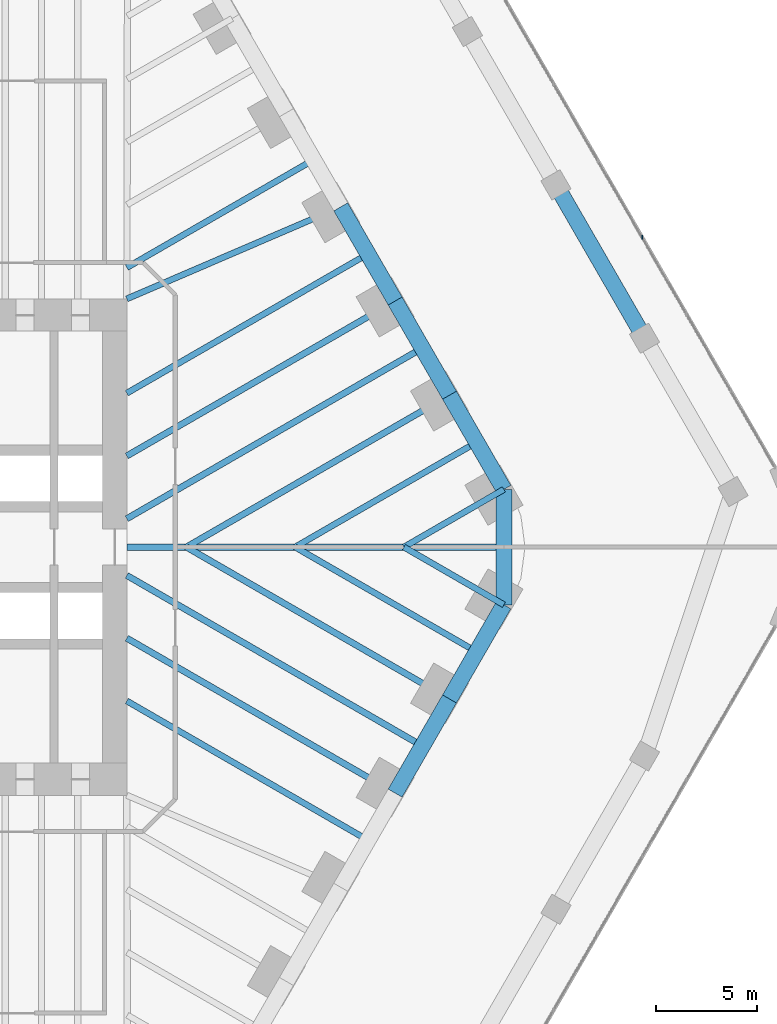
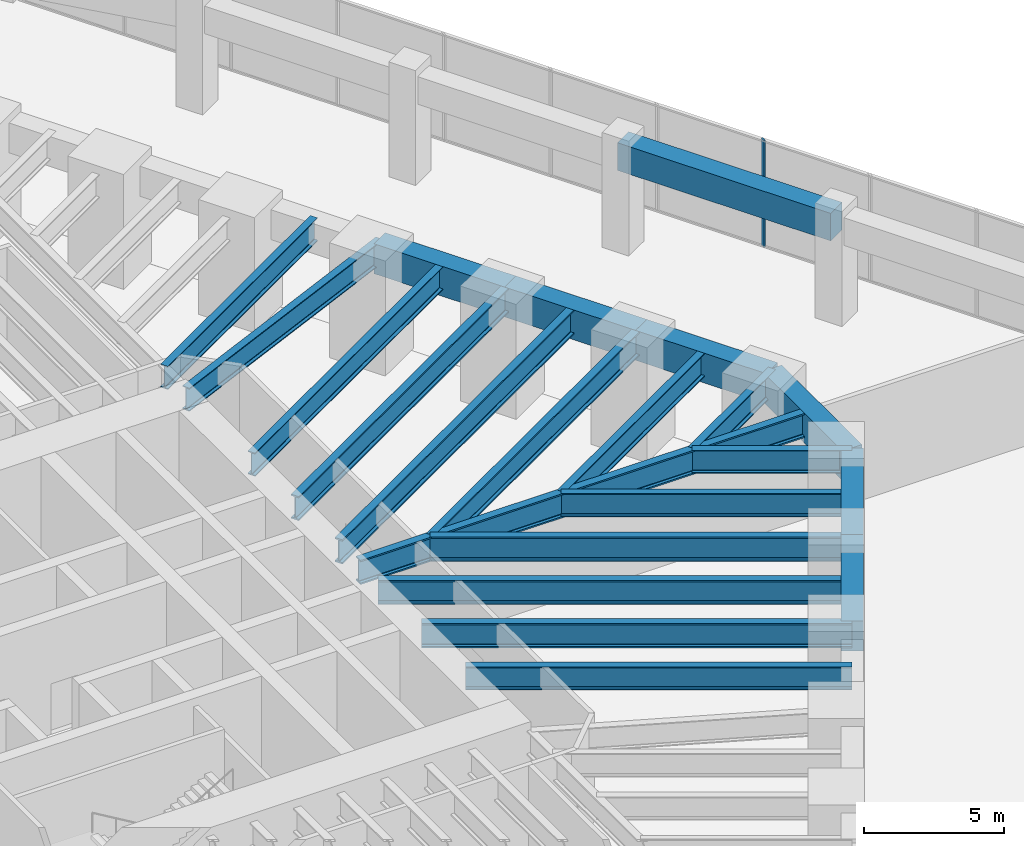
# One storey, part 13 of 31: 22 beams, 1 member, 1 element without a shape of its own.
"""IFC4 building model written with IfcOpenShell, lengths in metres."""

import ifcopenshell
import ifcopenshell.guid

model = None  # the IFC model being written
_history = None  # IfcOwnerHistory: only IFC2X3 demands one
_inside = {}  # id of a spatial element -> (the spatial element, [elements in it])
_under = {}  # id of a project, library or spatial element -> (it, [spatial elements below it])
_declared = {}  # id of a project -> (the project, [libraries it declares])
_typed = {}  # id of a type object -> (the type object, [elements of that type])
_made_of = {}  # id of a material, layer set ... -> (it, [elements and type objects made of it])


def new_model(schema):
    """Start an empty IFC model of exactly this schema.

    Asked for "IFC4X3", IfcOpenShell would pick the latest addendum, in which some entities
    have other attributes; the version numbers below select the first issue.
    IFC2X3 requires an IfcOwnerHistory on every rooted entity: one is made here for all.
    """
    global model, _history
    if schema == "IFC4X3":
        model = ifcopenshell.file(schema_version=(4, 3, 0, 0))
    else:
        model = ifcopenshell.file(schema=schema)
    _inside.clear()
    _under.clear()
    _declared.clear()
    _typed.clear()
    _made_of.clear()
    _history = None
    if model.schema == "IFC2X3":
        org = make("IfcOrganization", Name="unknown")
        user = make(
            "IfcPersonAndOrganization",
            ThePerson=make("IfcPerson", FamilyName="unknown"),
            TheOrganization=org,
        )
        app = make(
            "IfcApplication",
            ApplicationDeveloper=org,
            Version="unknown",
            ApplicationFullName="unknown",
            ApplicationIdentifier="unknown",
        )
        _history = make(
            "IfcOwnerHistory",
            OwningUser=user,
            OwningApplication=app,
            ChangeAction="ADDED",
            CreationDate=0,
        )
    return model


def make(cls, **values):
    """One entity of the class cls with the attributes given. An attribute that is None is left unset."""
    return model.create_entity(
        cls, **{name: value for name, value in values.items() if value is not None}
    )


def rooted(cls, **values):
    """An entity with a GlobalId (a new one), such as an element, a storey or a relation."""
    return make(cls, GlobalId=ifcopenshell.guid.new(), OwnerHistory=_history, **values)


def si_unit(unit_type, name, prefix=None):
    """IfcSIUnit, for example si_unit("LENGTHUNIT", "METRE", prefix="MILLI")."""
    return make("IfcSIUnit", UnitType=unit_type, Prefix=prefix, Name=name)


def assignment(units):
    """IfcUnitAssignment: the units of a project."""
    return None if units is None else make("IfcUnitAssignment", Units=units)


def point(xyz):
    """IfcCartesianPoint."""
    return None if xyz is None else make("IfcCartesianPoint", Coordinates=xyz)


def direction(xyz):
    """IfcDirection."""
    return None if xyz is None else make("IfcDirection", DirectionRatios=xyz)


def frame(location, z_axis=None, x_axis=None):
    """IfcAxis2Placement3D, a coordinate frame: its origin and axes. An axis left out is left unset."""
    return make(
        "IfcAxis2Placement3D",
        Location=point(location),
        Axis=direction(z_axis),
        RefDirection=direction(x_axis),
    )


def frame_2d(location, x_axis=None):
    """IfcAxis2Placement2D, a coordinate frame in the plane: its origin and x axis."""
    return make(
        "IfcAxis2Placement2D", Location=point(location), RefDirection=direction(x_axis)
    )


def origin():
    """The frame at (0, 0, 0) with its axes left unset."""
    return frame((0.0, 0.0, 0.0))


def origin_2d():
    """The frame at (0, 0) in the plane with its x axis left unset."""
    return frame_2d((0.0, 0.0))


def place(relative_to, where):
    """IfcLocalPlacement: puts the frame where relative to a parent placement (None: the world)."""
    return make(
        "IfcLocalPlacement", PlacementRelTo=relative_to, RelativePlacement=where
    )


def context(
    kind, dimensions, precision=None, world=None, true_north=None, identifier=None
):
    """IfcGeometricRepresentationContext, for example the 3D "Model" context."""
    return make(
        "IfcGeometricRepresentationContext",
        ContextIdentifier=identifier,
        ContextType=kind,
        CoordinateSpaceDimension=dimensions,
        Precision=precision,
        WorldCoordinateSystem=world,
        TrueNorth=true_north,
    )


def subcontext(parent, identifier, kind, view, scale=None):
    """IfcGeometricRepresentationSubContext, for example "Body" below "Model"."""
    return make(
        "IfcGeometricRepresentationSubContext",
        ContextIdentifier=identifier,
        ContextType=kind,
        ParentContext=parent,
        TargetScale=scale,
        TargetView=view,
    )


def project(units=None, contexts=None):
    """IfcProject with its units and contexts."""
    return rooted(
        "IfcProject",
        Name="project",
        RepresentationContexts=contexts,
        UnitsInContext=assignment(units),
    )


def spatial(cls, under=None, at=None, **own):
    """A site, building, storey or space (cls), placed at a placement, below another one or the project."""
    s = rooted(cls, ObjectPlacement=at, **own)
    if under is not None:
        _under.setdefault(under.id(), (under, []))[1].append(s)
    return s


def profile(cls, at=None, kind="AREA", **sizes):
    """A parametric profile (cls). Its sizes go by their IFC names, for example OverallWidth=200.0."""
    return make(cls, ProfileType=kind, Position=at, **sizes)


def rectangle(**sizes):
    """IfcRectangleProfileDef."""
    return profile("IfcRectangleProfileDef", **sizes)


def i_section(**sizes):
    """IfcIShapeProfileDef."""
    return profile("IfcIShapeProfileDef", **sizes)


def extrude(swept, where, along, depth):
    """IfcExtrudedAreaSolid: the profile swept, set in the frame where, extruded along a direction by depth."""
    return make(
        "IfcExtrudedAreaSolid",
        SweptArea=swept,
        Position=where,
        ExtrudedDirection=direction(along),
        Depth=depth,
    )


def shape(context_of_items, identifier, shape_type, items):
    """IfcShapeRepresentation: the items that make up one representation, for example the "Body"."""
    return make(
        "IfcShapeRepresentation",
        ContextOfItems=context_of_items,
        RepresentationIdentifier=identifier,
        RepresentationType=shape_type,
        Items=items,
    )


def material(Name=None, Category=None):
    """IfcMaterial."""
    return make("IfcMaterial", Name=Name, Category=Category)


def material_profile(
    of_material, cross_section, Name=None, Category=None, Priority=None
):
    """IfcMaterialProfile: a cross section and its material."""
    return make(
        "IfcMaterialProfile",
        Name=Name,
        Material=of_material,
        Profile=cross_section,
        Priority=Priority,
        Category=Category,
    )


def profile_set(profiles, Name=None, composite=None):
    """IfcMaterialProfileSet."""
    return make(
        "IfcMaterialProfileSet",
        Name=Name,
        MaterialProfiles=profiles,
        CompositeProfile=composite,
    )


def made_of(thing, what):
    """Note that an element or type object is made of a material, layer set ...; save() writes the relation."""
    if what is not None:
        _made_of.setdefault(what.id(), (what, []))[1].append(thing)
    return thing


def type_object(cls, material=None, **own):
    """A type object (cls), such as IfcWallType, which elements share."""
    return made_of(rooted(cls, **own), material)


def element(
    cls,
    number,
    at=None,
    inside=None,
    cuts=None,
    type_object=None,
    material=None,
    context=None,
    identifier="Body",
    shape_type=None,
    held_by="IfcProductDefinitionShape",
    body=None,
    shapes=None,
    **own,
):
    """One element of the class cls, such as IfcWall. Its Tag is "e" and its number.

    at: its placement. inside: the storey or other place that contains it. cuts: it is an
    opening in that element (IfcRelVoidsElement). A single representation is given by context,
    identifier, shape_type and body (its items); several are given by shapes. held_by: the class
    of the entity that holds the representations. save() writes the other relations.
    """
    e = rooted(cls, Tag="e%d" % number, ObjectPlacement=at, **own)
    if body is not None:
        shapes = [shape(context, identifier, shape_type, body)]
    if shapes is not None:
        e.Representation = make(held_by, Representations=shapes)
    if inside is not None:
        _inside.setdefault(inside.id(), (inside, []))[1].append(e)
    if cuts is not None:
        rooted(
            "IfcRelVoidsElement", RelatingBuildingElement=cuts, RelatedOpeningElement=e
        )
    if type_object is not None:
        _typed.setdefault(type_object.id(), (type_object, []))[1].append(e)
    return made_of(e, material)


def aggregate(whole, parts):
    """IfcRelAggregates: a whole, such as a stair, and the parts it consists of."""
    return rooted("IfcRelAggregates", RelatingObject=whole, RelatedObjects=parts)


def save(model, path):
    """Write the relations noted so far, then the file.

    IfcRelAggregates (storeys below a building ...), IfcRelContainedInSpatialStructure (elements
    in a storey), IfcRelDefinesByType, IfcRelAssociatesMaterial and IfcRelDeclares: one each for
    every whole, place, type object, material and project.
    """
    for whole, parts in _under.values():
        aggregate(whole, parts)
    for where, things in _inside.values():
        rooted(
            "IfcRelContainedInSpatialStructure",
            RelatedElements=things,
            RelatingStructure=where,
        )
    for kind, things in _typed.values():
        rooted("IfcRelDefinesByType", RelatedObjects=things, RelatingType=kind)
    for what, things in _made_of.values():
        rooted("IfcRelAssociatesMaterial", RelatedObjects=things, RelatingMaterial=what)
    for by, libraries in _declared.values():
        rooted("IfcRelDeclares", RelatingContext=by, RelatedDefinitions=libraries)
    model.write(path)


model = new_model("IFC4")

# Units and contexts
model_context = context("Model", 3, precision=1e-05, world=origin(), true_north=direction((0.0, 1.0)))
body_context = subcontext(model_context, "Body", "Model", "MODEL_VIEW")
ifc_project = project(units=[si_unit("LENGTHUNIT", "METRE"), si_unit("AREAUNIT", "SQUARE_METRE"), si_unit("VOLUMEUNIT", "CUBIC_METRE"), si_unit("PLANEANGLEUNIT", "RADIAN"), si_unit("MASSUNIT", "GRAM", prefix="KILO")], contexts=[model_context])

# Site, building, storey
site_placement = place(None, origin())
site = spatial("IfcSite", under=ifc_project, at=site_placement, CompositionType="ELEMENT")
building_placement = place(site_placement, origin())
building = spatial("IfcBuilding", under=site, at=building_placement, Name="Tarfa Lantern Tower", CompositionType="ELEMENT")
storey_placement = place(building_placement, frame((0.0, 0.0, 18.5)))
storey = spatial("IfcBuildingStorey", under=building, at=storey_placement, Name="L03", CompositionType="ELEMENT", Elevation=18.5)

# Curtain wall, member
ifc_material_1 = material(Name="Aluminium framed curtain wall", Category="aluminium")
curtain_wall_type = type_object("IfcCurtainWallType", Name="CW7 PODIUM GLAZING 4650", PredefinedType="USERDEFINED", material=ifc_material_1)
curtain_wall_placement = place(storey_placement, origin())
curtain_wall = element("IfcCurtainWall", 1, at=curtain_wall_placement, inside=storey, type_object=curtain_wall_type, Name="CW7 NE L03", ObjectType="CURTAIN WALL", PredefinedType="USERDEFINED")
ifc_material_2 = material(Name="Aluminium mullion", Category="aluminium")
ifc_material_profile_1 = material_profile(ifc_material_2, rectangle(XDim=0.06494140625, YDim=0.199951171875, at=origin_2d()), Name="AL MULLION 65x200")
ifc_profile_set_1 = profile_set([ifc_material_profile_1], Name="Aluminium mullion")
member_type = type_object("IfcMemberType", Name="CWM1 MULLION 65x200", PredefinedType="MULLION", material=ifc_profile_set_1)
member_placement = place(storey_placement, frame((44.138427734375, 15.35009765625, 0.0), z_axis=(0.0, 0.0, 1.0), x_axis=(1.0, 0.0, 0.0)))
member = element("IfcMember", 2, at=member_placement, type_object=member_type, Name="CW7 mullion 4", PredefinedType="MULLION", context=body_context, shape_type="SweptSolid", body=[
    extrude(rectangle(XDim=0.06494140625, YDim=0.199951171875, at=origin_2d()), origin(), (0.0, 0.0, 1.0), 4.64990234375),
])
aggregate(curtain_wall, [member])

# Beams
ifc_material_3 = material(Name="Concrete C80/95", Category="concrete")
ifc_material_profile_2 = material_profile(ifc_material_3, rectangle(XDim=0.800048828125, YDim=1.300048828125, at=origin_2d()), Name="RC 800x1300")
ifc_profile_set_2 = profile_set([ifc_material_profile_2], Name="Concrete C80/95")
beam_type_1 = type_object("IfcBeamType", Name="EB1 RC 800x1300", PredefinedType="SPANDREL", material=ifc_profile_set_2)
beam_1_placement = place(storey_placement, frame((37.285400390625, 2.860107421875, 4.0), z_axis=(-0.500017906299, 0.866015065331, 0.0), x_axis=(-0.866015065331, -0.500017906299, 0.0)))
element("IfcBeam", 3, at=beam_1_placement, inside=storey, type_object=beam_type_1, Name="Edge beam NE0", PredefinedType="SPANDREL", context=body_context, shape_type="SweptSolid", body=[
    extrude(rectangle(XDim=0.800048828125, YDim=1.300048828125, at=origin_2d()), origin(), (0.0, 0.0, 1.0), 5.388427734375),
])
for number, where, z_axis, x_axis, name in (
    (4, (34.591064453125, 7.526611328125, 4.0), (-0.499998287579, 0.866026392449, 0.0), (-0.866026392449, -0.499998287579, 0.0), "Edge beam NE1"),
    (5, (31.896728515625, 12.193359375, 4.0), (-0.499998287579, 0.866026392449, 0.0), (-0.866026392449, -0.499998287579, 0.0), "Edge beam NE2"),
    (6, (31.896728515625, -12.193359375, 4.0), (0.499998287579, 0.866026392449, 0.0), (-0.866026392449, 0.499998287579, 0.0), "Edge beam SE4"),
):
    element("IfcBeam", number, at=place(storey_placement, frame(where, z_axis=z_axis, x_axis=x_axis)), inside=storey, type_object=beam_type_1, Name=name, PredefinedType="SPANDREL", context=body_context, shape_type="SweptSolid", body=[
        extrude(rectangle(XDim=0.800048828125, YDim=1.300048828125, at=origin_2d()), origin(), (0.0, 0.0, 1.0), 5.388671875),
    ])
beam_2_placement = place(storey_placement, frame((34.591064453125, -7.526611328125, 4.0), z_axis=(0.500017906299, 0.866015065331, 0.0), x_axis=(-0.866015065331, 0.500017906299, 0.0)))
element("IfcBeam", 7, at=beam_2_placement, inside=storey, type_object=beam_type_1, Name="Edge beam SE5", PredefinedType="SPANDREL", context=body_context, shape_type="SweptSolid", body=[
    extrude(rectangle(XDim=0.800048828125, YDim=1.300048828125, at=origin_2d()), origin(), (0.0, 0.0, 1.0), 5.388427734375),
])
beam_3_placement = place(storey_placement, frame((37.285400390625, -2.860107421875, 4.0), z_axis=(0.0, 1.0, 0.0), x_axis=(-1.0, 0.0, 0.0)))
element("IfcBeam", 8, at=beam_3_placement, inside=storey, type_object=beam_type_1, Name="Edge beam SE6", PredefinedType="SPANDREL", context=body_context, shape_type="SweptSolid", body=[
    extrude(rectangle(XDim=0.800048828125, YDim=1.300048828125, at=origin_2d()), origin(), (0.0, 0.0, 1.0), 5.72021484375),
])
ifc_material_profile_3 = material_profile(ifc_material_3, rectangle(XDim=0.800048828125, YDim=1.199951171875, at=origin_2d()), Name="RC 800x1200")
ifc_profile_set_3 = profile_set([ifc_material_profile_3], Name="Concrete C80/95")
beam_type_2 = type_object("IfcBeamType", Name="PB2 RC 800x1200", PredefinedType="BEAM", material=ifc_profile_set_3)
beam_4_placement = place(storey_placement, frame((44.25390625, 10.35009765625, 4.050048828125), z_axis=(-0.500013843384, 0.866017411155, 0.0), x_axis=(-0.866017411155, -0.500013843384, 0.0)))
element("IfcBeam", 9, at=beam_4_placement, inside=storey, type_object=beam_type_2, Name="Podium ring beam NE1", PredefinedType="BEAM", context=body_context, shape_type="SweptSolid", body=[
    extrude(rectangle(XDim=0.800048828125, YDim=1.199951171875, at=origin_2d()), origin(), (0.0, 0.0, 1.0), 8.775634765625),
])
ifc_material_4 = material(Name="Steel S460M", Category="steel")
ifc_material_profile_4 = material_profile(ifc_material_4, i_section(OverallWidth=0.302001953125, OverallDepth=1.008056640625, WebThickness=0.02099609375, FlangeThickness=0.0400390625, FilletRadius=0.030029296875, at=origin_2d()), Name="UB1016x305x349")
ifc_profile_set_4 = profile_set([ifc_material_profile_4], Name="Steel S460M")
beam_type_3 = type_object("IfcBeamType", Name="UB1016x305x349", PredefinedType="BEAM", material=ifc_profile_set_4)
beam_5_placement = place(storey_placement, frame((37.285400390625, 2.860107421875, 4.14599609375), z_axis=(-0.866025668288, -0.499999541866, 0.0), x_axis=(0.499999541866, -0.866025668288, 0.0)))
element("IfcBeam", 10, at=beam_5_placement, inside=storey, type_object=beam_type_3, Name="Floor beam NE0", PredefinedType="BEAM", context=body_context, shape_type="SweptSolid", body=[
    extrude(i_section(OverallWidth=0.302001953125, OverallDepth=1.008056640625, WebThickness=0.02099609375, FlangeThickness=0.0400390625, FilletRadius=0.030029296875, at=origin_2d()), origin(), (0.0, 0.0, 1.0), 5.72021484375),
])
beam_6_placement = place(storey_placement, frame((29.202392578125, 16.860107421875, 4.14599609375), z_axis=(-0.918635483867, -0.395106122175, 0.0), x_axis=(0.395106122175, -0.918635483867, 0.0)))
element("IfcBeam", 11, at=beam_6_placement, inside=storey, type_object=beam_type_3, Name="Floor beam NE3", PredefinedType="BEAM", context=body_context, shape_type="SweptSolid", body=[
    extrude(i_section(OverallWidth=0.302001953125, OverallDepth=1.008056640625, WebThickness=0.02099609375, FlangeThickness=0.0400390625, FilletRadius=0.030029296875, at=origin_2d()), origin(), (0.0, 0.0, 1.0), 11.541259765625),
])
beam_7_placement = place(storey_placement, frame((37.285400390625, -2.860107421875, 4.14599609375), z_axis=(-0.866025668288, 0.499999541866, 0.0), x_axis=(-0.499999541866, -0.866025668288, 0.0)))
element("IfcBeam", 12, at=beam_7_placement, inside=storey, type_object=beam_type_3, Name="Floor beam SE6", PredefinedType="BEAM", context=body_context, shape_type="SweptSolid", body=[
    extrude(i_section(OverallWidth=0.302001953125, OverallDepth=1.008056640625, WebThickness=0.02099609375, FlangeThickness=0.0400390625, FilletRadius=0.030029296875, at=origin_2d()), origin(), (0.0, 0.0, 1.0), 5.72021484375),
])
beam_8_placement = place(storey_placement, frame((35.938232421875, 5.193359375, 4.14599609375), z_axis=(-0.866024317969, -0.500001880682, 0.0), x_axis=(0.500001880682, -0.866024317969, 0.0)))
element("IfcBeam", 13, at=beam_8_placement, inside=storey, type_object=beam_type_3, Name="Floor beam NE0M", PredefinedType="BEAM", context=body_context, shape_type="SweptSolid", body=[
    extrude(i_section(OverallWidth=0.302001953125, OverallDepth=1.008056640625, WebThickness=0.02099609375, FlangeThickness=0.0400390625, FilletRadius=0.030029296875, at=origin_2d()), origin(), (0.0, 0.0, 1.0), 10.38671875),
])
beam_9_placement = place(storey_placement, frame((30.549560546875, 14.526611328125, 4.14599609375), z_axis=(-0.866028536827, -0.499994573371, 0.0), x_axis=(0.499994573371, -0.866028536827, 0.0)))
element("IfcBeam", 14, at=beam_9_placement, inside=storey, type_object=beam_type_3, Name="Floor beam NE2M", PredefinedType="BEAM", context=body_context, shape_type="SweptSolid", body=[
    extrude(i_section(OverallWidth=0.302001953125, OverallDepth=1.008056640625, WebThickness=0.02099609375, FlangeThickness=0.0400390625, FilletRadius=0.030029296875, at=origin_2d()), origin(), (0.0, 0.0, 1.0), 13.798095703125),
])
beam_10_placement = place(storey_placement, frame((27.855224609375, 19.193359375, 4.14599609375), z_axis=(-0.866028034017, -0.499995444275, 0.0), x_axis=(0.499995444275, -0.866028034017, 0.0)))
element("IfcBeam", 15, at=beam_10_placement, inside=storey, type_object=beam_type_3, Name="Floor beam NE3M", PredefinedType="BEAM", context=body_context, shape_type="SweptSolid", body=[
    extrude(i_section(OverallWidth=0.302001953125, OverallDepth=1.008056640625, WebThickness=0.02099609375, FlangeThickness=0.0400390625, FilletRadius=0.030029296875, at=origin_2d()), origin(), (0.0, 0.0, 1.0), 10.68310546875),
])
beam_11_placement = place(storey_placement, frame((30.549560546875, -14.526611328125, 4.14599609375), z_axis=(-0.866028536827, 0.499994573371, 0.0), x_axis=(-0.499994573371, -0.866028536827, 0.0)))
element("IfcBeam", 16, at=beam_11_placement, inside=storey, type_object=beam_type_3, Name="Floor beam SE3M", PredefinedType="BEAM", context=body_context, shape_type="SweptSolid", body=[
    extrude(i_section(OverallWidth=0.302001953125, OverallDepth=1.008056640625, WebThickness=0.02099609375, FlangeThickness=0.0400390625, FilletRadius=0.030029296875, at=origin_2d()), origin(), (0.0, 0.0, 1.0), 13.798095703125),
])
beam_12_placement = place(storey_placement, frame((35.938232421875, -5.193359375, 4.14599609375), z_axis=(-0.866024317969, 0.500001880682, 0.0), x_axis=(-0.500001880682, -0.866024317969, 0.0)))
element("IfcBeam", 17, at=beam_12_placement, inside=storey, type_object=beam_type_3, Name="Floor beam SE5M", PredefinedType="BEAM", context=body_context, shape_type="SweptSolid", body=[
    extrude(i_section(OverallWidth=0.302001953125, OverallDepth=1.008056640625, WebThickness=0.02099609375, FlangeThickness=0.0400390625, FilletRadius=0.030029296875, at=origin_2d()), origin(), (0.0, 0.0, 1.0), 10.38671875),
])
ifc_material_profile_5 = material_profile(ifc_material_4, i_section(OverallWidth=0.314208984375, OverallDepth=1.055908203125, WebThickness=0.035888671875, FlangeThickness=0.06396484375, FilletRadius=0.030029296875, at=origin_2d()), Name="UB1016x305x584")
ifc_profile_set_5 = profile_set([ifc_material_profile_5], Name="Steel S460M")
beam_type_4 = type_object("IfcBeamType", Name="UB1016x305x584", PredefinedType="BEAM", material=ifc_profile_set_5)
beam_13_placement = place(storey_placement, frame((18.60009765625, 0.0, 4.1220703125), z_axis=(1.0, 0.0, 0.0), x_axis=(0.0, 1.0, 0.0)))
element("IfcBeam", 18, at=beam_13_placement, inside=storey, type_object=beam_type_4, Name="Hip girder E", PredefinedType="BEAM", context=body_context, shape_type="SweptSolid", body=[
    extrude(i_section(OverallWidth=0.314208984375, OverallDepth=1.055908203125, WebThickness=0.035888671875, FlangeThickness=0.06396484375, FilletRadius=0.030029296875, at=origin_2d()), origin(), (0.0, 0.0, 1.0), 18.685302734375),
])
beam_14_placement = place(storey_placement, frame((34.591064453125, 7.526611328125, 4.1220703125), z_axis=(-0.86602785945, -0.499995746638, 0.0), x_axis=(0.499995746638, -0.86602785945, 0.0)))
element("IfcBeam", 19, at=beam_14_placement, inside=storey, type_object=beam_type_4, Name="Floor beam NE1", PredefinedType="BEAM", context=body_context, shape_type="SweptSolid", body=[
    extrude(i_section(OverallWidth=0.314208984375, OverallDepth=1.055908203125, WebThickness=0.035888671875, FlangeThickness=0.06396484375, FilletRadius=0.030029296875, at=origin_2d()), origin(), (0.0, 0.0, 1.0), 15.053466796875),
])
for number, where, z_axis, x_axis, name in (
    (20, (31.896728515625, 12.193359375, 4.1220703125), (-0.866026971665, -0.499997284341, 0.0), (0.499997284341, -0.866026971665, 0.0), "Floor beam NE2"),
    (21, (31.896728515625, -12.193359375, 4.1220703125), (-0.866026971665, 0.499997284341, 0.0), (-0.499997284341, -0.866026971665, 0.0), "Floor beam SE4"),
):
    element("IfcBeam", number, at=place(storey_placement, frame(where, z_axis=z_axis, x_axis=x_axis)), inside=storey, type_object=beam_type_4, Name=name, PredefinedType="BEAM", context=body_context, shape_type="SweptSolid", body=[
        extrude(i_section(OverallWidth=0.314208984375, OverallDepth=1.055908203125, WebThickness=0.035888671875, FlangeThickness=0.06396484375, FilletRadius=0.030029296875, at=origin_2d()), origin(), (0.0, 0.0, 1.0), 15.353515625),
    ])
beam_15_placement = place(storey_placement, frame((34.591064453125, -7.526611328125, 4.1220703125), z_axis=(-0.86602785945, 0.499995746638, 0.0), x_axis=(-0.499995746638, -0.86602785945, 0.0)))
element("IfcBeam", 22, at=beam_15_placement, inside=storey, type_object=beam_type_4, Name="Floor beam SE5", PredefinedType="BEAM", context=body_context, shape_type="SweptSolid", body=[
    extrude(i_section(OverallWidth=0.314208984375, OverallDepth=1.055908203125, WebThickness=0.035888671875, FlangeThickness=0.06396484375, FilletRadius=0.030029296875, at=origin_2d()), origin(), (0.0, 0.0, 1.0), 15.053466796875),
])
for number, where, z_axis, x_axis, name in (
    (23, (33.243896484375, 9.860107421875, 4.1220703125), (-0.866019442478, -0.500010325144, 0.0), (0.500010325144, -0.866019442478, 0.0), "Floor beam NE1M"),
    (24, (33.243896484375, -9.860107421875, 4.1220703125), (-0.866019442478, 0.500010325144, 0.0), (-0.500010325144, -0.866019442478, 0.0), "Floor beam SE4M"),
):
    element("IfcBeam", number, at=place(storey_placement, frame(where, z_axis=z_axis, x_axis=x_axis)), inside=storey, type_object=beam_type_4, Name=name, PredefinedType="BEAM", context=body_context, shape_type="SweptSolid", body=[
        extrude(i_section(OverallWidth=0.314208984375, OverallDepth=1.055908203125, WebThickness=0.035888671875, FlangeThickness=0.06396484375, FilletRadius=0.030029296875, at=origin_2d()), origin(), (0.0, 0.0, 1.0), 16.909423828125),
    ])

save(model, "model.ifc")
